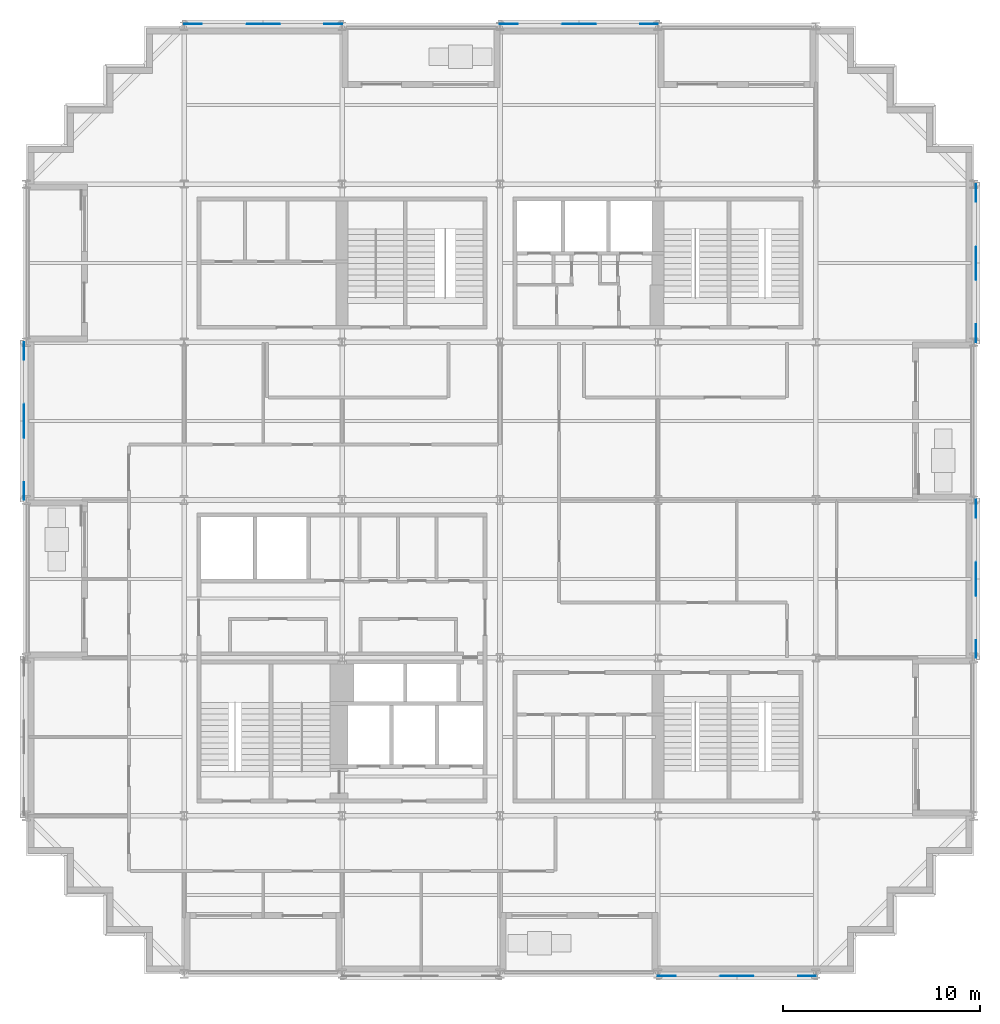
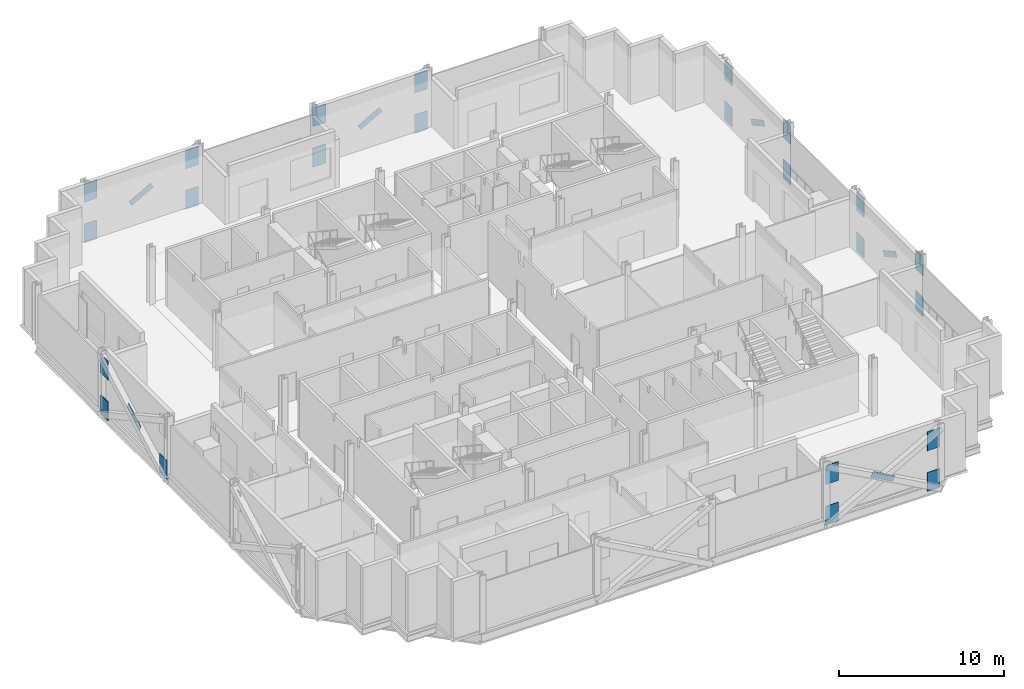
# One storey, part 12 of 15: 29 discrete accessories.
"""IFC4 building model written with IfcOpenShell, lengths in metres."""

import ifcopenshell
import ifcopenshell.guid

model = None  # the IFC model being written
_history = None  # IfcOwnerHistory: only IFC2X3 demands one
_inside = {}  # id of a spatial element -> (the spatial element, [elements in it])
_under = {}  # id of a project, library or spatial element -> (it, [spatial elements below it])
_declared = {}  # id of a project -> (the project, [libraries it declares])
_typed = {}  # id of a type object -> (the type object, [elements of that type])
_made_of = {}  # id of a material, layer set ... -> (it, [elements and type objects made of it])


def new_model(schema):
    """Start an empty IFC model of exactly this schema.

    Asked for "IFC4X3", IfcOpenShell would pick the latest addendum, in which some entities
    have other attributes; the version numbers below select the first issue.
    IFC2X3 requires an IfcOwnerHistory on every rooted entity: one is made here for all.
    """
    global model, _history
    if schema == "IFC4X3":
        model = ifcopenshell.file(schema_version=(4, 3, 0, 0))
    else:
        model = ifcopenshell.file(schema=schema)
    _inside.clear()
    _under.clear()
    _declared.clear()
    _typed.clear()
    _made_of.clear()
    _history = None
    if model.schema == "IFC2X3":
        org = make("IfcOrganization", Name="unknown")
        user = make(
            "IfcPersonAndOrganization",
            ThePerson=make("IfcPerson", FamilyName="unknown"),
            TheOrganization=org,
        )
        app = make(
            "IfcApplication",
            ApplicationDeveloper=org,
            Version="unknown",
            ApplicationFullName="unknown",
            ApplicationIdentifier="unknown",
        )
        _history = make(
            "IfcOwnerHistory",
            OwningUser=user,
            OwningApplication=app,
            ChangeAction="ADDED",
            CreationDate=0,
        )
    return model


def make(cls, **values):
    """One entity of the class cls with the attributes given. An attribute that is None is left unset."""
    return model.create_entity(
        cls, **{name: value for name, value in values.items() if value is not None}
    )


def rooted(cls, **values):
    """An entity with a GlobalId (a new one), such as an element, a storey or a relation."""
    return make(cls, GlobalId=ifcopenshell.guid.new(), OwnerHistory=_history, **values)


def si_unit(unit_type, name, prefix=None):
    """IfcSIUnit, for example si_unit("LENGTHUNIT", "METRE", prefix="MILLI")."""
    return make("IfcSIUnit", UnitType=unit_type, Prefix=prefix, Name=name)


def assignment(units):
    """IfcUnitAssignment: the units of a project."""
    return None if units is None else make("IfcUnitAssignment", Units=units)


def point(xyz):
    """IfcCartesianPoint."""
    return None if xyz is None else make("IfcCartesianPoint", Coordinates=xyz)


def direction(xyz):
    """IfcDirection."""
    return None if xyz is None else make("IfcDirection", DirectionRatios=xyz)


def frame(location, z_axis=None, x_axis=None):
    """IfcAxis2Placement3D, a coordinate frame: its origin and axes. An axis left out is left unset."""
    return make(
        "IfcAxis2Placement3D",
        Location=point(location),
        Axis=direction(z_axis),
        RefDirection=direction(x_axis),
    )


def frame_2d(location, x_axis=None):
    """IfcAxis2Placement2D, a coordinate frame in the plane: its origin and x axis."""
    return make(
        "IfcAxis2Placement2D", Location=point(location), RefDirection=direction(x_axis)
    )


def origin():
    """The frame at (0, 0, 0) with its axes left unset."""
    return frame((0.0, 0.0, 0.0))


def origin_2d():
    """The frame at (0, 0) in the plane with its x axis left unset."""
    return frame_2d((0.0, 0.0))


def place(relative_to, where):
    """IfcLocalPlacement: puts the frame where relative to a parent placement (None: the world)."""
    return make(
        "IfcLocalPlacement", PlacementRelTo=relative_to, RelativePlacement=where
    )


def context(
    kind, dimensions, precision=None, world=None, true_north=None, identifier=None
):
    """IfcGeometricRepresentationContext, for example the 3D "Model" context."""
    return make(
        "IfcGeometricRepresentationContext",
        ContextIdentifier=identifier,
        ContextType=kind,
        CoordinateSpaceDimension=dimensions,
        Precision=precision,
        WorldCoordinateSystem=world,
        TrueNorth=true_north,
    )


def subcontext(parent, identifier, kind, view, scale=None):
    """IfcGeometricRepresentationSubContext, for example "Body" below "Model"."""
    return make(
        "IfcGeometricRepresentationSubContext",
        ContextIdentifier=identifier,
        ContextType=kind,
        ParentContext=parent,
        TargetScale=scale,
        TargetView=view,
    )


def project(units=None, contexts=None):
    """IfcProject with its units and contexts."""
    return rooted(
        "IfcProject",
        Name="project",
        RepresentationContexts=contexts,
        UnitsInContext=assignment(units),
    )


def spatial(cls, under=None, at=None, **own):
    """A site, building, storey or space (cls), placed at a placement, below another one or the project."""
    s = rooted(cls, ObjectPlacement=at, **own)
    if under is not None:
        _under.setdefault(under.id(), (under, []))[1].append(s)
    return s


def profile(cls, at=None, kind="AREA", **sizes):
    """A parametric profile (cls). Its sizes go by their IFC names, for example OverallWidth=200.0."""
    return make(cls, ProfileType=kind, Position=at, **sizes)


def rectangle(**sizes):
    """IfcRectangleProfileDef."""
    return profile("IfcRectangleProfileDef", **sizes)


def extrude(swept, where, along, depth):
    """IfcExtrudedAreaSolid: the profile swept, set in the frame where, extruded along a direction by depth."""
    return make(
        "IfcExtrudedAreaSolid",
        SweptArea=swept,
        Position=where,
        ExtrudedDirection=direction(along),
        Depth=depth,
    )


def shape(context_of_items, identifier, shape_type, items):
    """IfcShapeRepresentation: the items that make up one representation, for example the "Body"."""
    return make(
        "IfcShapeRepresentation",
        ContextOfItems=context_of_items,
        RepresentationIdentifier=identifier,
        RepresentationType=shape_type,
        Items=items,
    )


def material(Name=None, Category=None):
    """IfcMaterial."""
    return make("IfcMaterial", Name=Name, Category=Category)


def material_profile(
    of_material, cross_section, Name=None, Category=None, Priority=None
):
    """IfcMaterialProfile: a cross section and its material."""
    return make(
        "IfcMaterialProfile",
        Name=Name,
        Material=of_material,
        Profile=cross_section,
        Priority=Priority,
        Category=Category,
    )


def profile_set(profiles, Name=None, composite=None):
    """IfcMaterialProfileSet."""
    return make(
        "IfcMaterialProfileSet",
        Name=Name,
        MaterialProfiles=profiles,
        CompositeProfile=composite,
    )


def made_of(thing, what):
    """Note that an element or type object is made of a material, layer set ...; save() writes the relation."""
    if what is not None:
        _made_of.setdefault(what.id(), (what, []))[1].append(thing)
    return thing


def type_object(cls, material=None, **own):
    """A type object (cls), such as IfcWallType, which elements share."""
    return made_of(rooted(cls, **own), material)


def element(
    cls,
    number,
    at=None,
    inside=None,
    cuts=None,
    type_object=None,
    material=None,
    context=None,
    identifier="Body",
    shape_type=None,
    held_by="IfcProductDefinitionShape",
    body=None,
    shapes=None,
    **own,
):
    """One element of the class cls, such as IfcWall. Its Tag is "e" and its number.

    at: its placement. inside: the storey or other place that contains it. cuts: it is an
    opening in that element (IfcRelVoidsElement). A single representation is given by context,
    identifier, shape_type and body (its items); several are given by shapes. held_by: the class
    of the entity that holds the representations. save() writes the other relations.
    """
    e = rooted(cls, Tag="e%d" % number, ObjectPlacement=at, **own)
    if body is not None:
        shapes = [shape(context, identifier, shape_type, body)]
    if shapes is not None:
        e.Representation = make(held_by, Representations=shapes)
    if inside is not None:
        _inside.setdefault(inside.id(), (inside, []))[1].append(e)
    if cuts is not None:
        rooted(
            "IfcRelVoidsElement", RelatingBuildingElement=cuts, RelatedOpeningElement=e
        )
    if type_object is not None:
        _typed.setdefault(type_object.id(), (type_object, []))[1].append(e)
    return made_of(e, material)


def aggregate(whole, parts):
    """IfcRelAggregates: a whole, such as a stair, and the parts it consists of."""
    return rooted("IfcRelAggregates", RelatingObject=whole, RelatedObjects=parts)


def save(model, path):
    """Write the relations noted so far, then the file.

    IfcRelAggregates (storeys below a building ...), IfcRelContainedInSpatialStructure (elements
    in a storey), IfcRelDefinesByType, IfcRelAssociatesMaterial and IfcRelDeclares: one each for
    every whole, place, type object, material and project.
    """
    for whole, parts in _under.values():
        aggregate(whole, parts)
    for where, things in _inside.values():
        rooted(
            "IfcRelContainedInSpatialStructure",
            RelatedElements=things,
            RelatingStructure=where,
        )
    for kind, things in _typed.values():
        rooted("IfcRelDefinesByType", RelatedObjects=things, RelatingType=kind)
    for what, things in _made_of.values():
        rooted("IfcRelAssociatesMaterial", RelatedObjects=things, RelatingMaterial=what)
    for by, libraries in _declared.values():
        rooted("IfcRelDeclares", RelatingContext=by, RelatedDefinitions=libraries)
    model.write(path)


model = new_model("IFC4")

# Units and contexts
model_context = context("Model", 3, precision=1e-05, world=origin(), true_north=direction((0.0, 1.0)))
body_context = subcontext(model_context, "Body", "Model", "MODEL_VIEW")
ifc_project = project(units=[si_unit("LENGTHUNIT", "METRE"), si_unit("AREAUNIT", "SQUARE_METRE"), si_unit("VOLUMEUNIT", "CUBIC_METRE"), si_unit("PLANEANGLEUNIT", "RADIAN"), si_unit("MASSUNIT", "GRAM", prefix="KILO")], contexts=[model_context])

# Site, building, storey
site_placement = place(None, origin())
site = spatial("IfcSite", under=ifc_project, at=site_placement, CompositionType="ELEMENT")
building_placement = place(site_placement, origin())
building = spatial("IfcBuilding", under=site, at=building_placement, Name="Immortelle Media Tower", CompositionType="ELEMENT")
storey_placement = place(building_placement, frame((0.0, 0.0, 83.199951171875)))
storey = spatial("IfcBuildingStorey", under=building, at=storey_placement, Name="L15", CompositionType="ELEMENT", Elevation=83.199951171875)

# Discrete accessories
ifc_material = material(Name="Steel ASTM A572 Gr 50", Category="steel")
ifc_material_profile_1 = material_profile(ifc_material, rectangle(XDim=0.031982421875, YDim=0.406005859375, at=origin_2d()), Name="PL 32 x 406")
ifc_profile_set_1 = profile_set([ifc_material_profile_1], Name="Steel ASTM A572 Gr 50")
discrete_accessory_type_1 = type_object("IfcDiscreteAccessoryType", Name="Crossing plate XP-BR3 1750 x 406 x 32", PredefinedType="USERDEFINED", material=ifc_profile_set_1)
for number, where, z_axis, x_axis, name in (
    (1, (-0.113037109375, 28.7666015625, 2.125244140625), (0.0, -0.876215908677, -0.481918749772), (1.0, 0.0, 0.0), "Crossing plate XP-BR3 of Brace 1/D-E A and Brace 1/D-E B"),
    (2, (48.113037109375, 19.2333984375, 2.125244140625), (0.0, 0.876215908677, -0.481918749772), (-1.0, 0.0, 0.0), "Crossing plate XP-BR3 of Brace 7/C-D A and Brace 7/C-D B"),
    (3, (48.113037109375, 35.2333984375, 2.125244140625), (0.0, 0.876215908677, -0.481918749772), (-1.0, 0.0, 0.0), "Crossing plate XP-BR3 of Brace 7/E-F A and Brace 7/E-F B"),
    (4, (28.7666015625, 48.113037109375, 2.125244140625), (-0.876215908677, 0.0, -0.481918749772), (0.0, -1.0, 0.0), "Crossing plate XP-BR3 of Brace G/4-5 A and Brace G/4-5 B"),
    (5, (12.7666015625, 48.113037109375, 2.125244140625), (-0.876215908677, 0.0, -0.481918749772), (0.0, -1.0, 0.0), "Crossing plate XP-BR3 of Brace G/2-3 A and Brace G/2-3 B"),
    (6, (35.2333984375, -0.113037109375, 2.125244140625), (0.876215908677, 0.0, -0.481918749772), (0.0, 1.0, 0.0), "Crossing plate XP-BR3 of Brace A/5-6 A and Brace A/5-6 B"),
):
    element("IfcDiscreteAccessory", number, at=place(storey_placement, frame(where, z_axis=z_axis, x_axis=x_axis)), inside=storey, type_object=discrete_accessory_type_1, Name=name, ObjectType="CROSSING PLATE", PredefinedType="USERDEFINED", context=body_context, shape_type="SweptSolid", body=[
        extrude(rectangle(XDim=0.031982421875, YDim=0.406005859375, at=origin_2d()), origin(), (0.0, 0.0, 1.0), 1.749755859375),
    ])
ifc_material_profile_2 = material_profile(ifc_material, rectangle(XDim=0.031982421875, YDim=1.39990234375, at=origin_2d()), Name="PL 32 x 1400")
ifc_profile_set_2 = profile_set([ifc_material_profile_2], Name="Steel ASTM A572 Gr 50")
discrete_accessory_type_2 = type_object("IfcDiscreteAccessoryType", Name="Gusset plate GP1 900 x 1400 x 32", PredefinedType="USERDEFINED", material=ifc_profile_set_2)
for number, where, z_axis, x_axis, name in (
    (7, (-0.113037109375, 32.0, 0.20361328125), (0.0, -1.0, 0.0), (1.0, 0.0, 0.0), "Gusset plate GP1, lower end of Brace 1/D-E A"),
    (8, (-0.113037109375, 24.0, 0.20361328125), (0.0, 1.0, 0.0), (-1.0, 0.0, 0.0), "Gusset plate GP1, lower end of Brace 1/D-E B"),
    (9, (-0.113037109375, 32.0, 3.20361328125), (0.0, -1.0, 0.0), (1.0, 0.0, 0.0), "Gusset plate GP1, upper end of Brace 1/D-E B"),
    (10, (32.0, -0.113037109375, 0.20361328125), (1.0, 0.0, 0.0), (0.0, 1.0, 0.0), "Gusset plate GP1, lower end of Brace A/5-6 A"),
    (11, (40.0, -0.113037109375, 3.20361328125), (-1.0, 0.0, 0.0), (0.0, -1.0, 0.0), "Gusset plate GP1, upper end of Brace A/5-6 A"),
    (12, (40.0, -0.113037109375, 0.20361328125), (-1.0, 0.0, 0.0), (0.0, -1.0, 0.0), "Gusset plate GP1, lower end of Brace A/5-6 B"),
    (13, (32.0, -0.113037109375, 3.20361328125), (1.0, 0.0, 0.0), (0.0, 1.0, 0.0), "Gusset plate GP1, upper end of Brace A/5-6 B"),
    (14, (48.113037109375, 16.0, 0.20361328125), (0.0, 1.0, 0.0), (-1.0, 0.0, 0.0), "Gusset plate GP1, lower end of Brace 7/C-D A"),
    (15, (48.113037109375, 24.0, 3.20361328125), (0.0, -1.0, 0.0), (1.0, 0.0, 0.0), "Gusset plate GP1, upper end of Brace 7/C-D A"),
    (16, (48.113037109375, 24.0, 0.20361328125), (0.0, -1.0, 0.0), (1.0, 0.0, 0.0), "Gusset plate GP1, lower end of Brace 7/C-D B"),
    (17, (48.113037109375, 16.0, 3.20361328125), (0.0, 1.0, 0.0), (-1.0, 0.0, 0.0), "Gusset plate GP1, upper end of Brace 7/C-D B"),
    (18, (48.113037109375, 32.0, 0.20361328125), (0.0, 1.0, 0.0), (-1.0, 0.0, 0.0), "Gusset plate GP1, lower end of Brace 7/E-F A"),
    (19, (48.113037109375, 40.0, 3.20361328125), (0.0, -1.0, 0.0), (1.0, 0.0, 0.0), "Gusset plate GP1, upper end of Brace 7/E-F A"),
    (20, (48.113037109375, 40.0, 0.20361328125), (0.0, -1.0, 0.0), (1.0, 0.0, 0.0), "Gusset plate GP1, lower end of Brace 7/E-F B"),
    (21, (48.113037109375, 32.0, 3.20361328125), (0.0, 1.0, 0.0), (-1.0, 0.0, 0.0), "Gusset plate GP1, upper end of Brace 7/E-F B"),
    (22, (32.0, 48.113037109375, 0.20361328125), (-1.0, 0.0, 0.0), (0.0, -1.0, 0.0), "Gusset plate GP1, lower end of Brace G/4-5 A"),
    (23, (24.0, 48.113037109375, 3.20361328125), (1.0, 0.0, 0.0), (0.0, 1.0, 0.0), "Gusset plate GP1, upper end of Brace G/4-5 A"),
    (24, (24.0, 48.113037109375, 0.20361328125), (1.0, 0.0, 0.0), (0.0, 1.0, 0.0), "Gusset plate GP1, lower end of Brace G/4-5 B"),
    (25, (32.0, 48.113037109375, 3.20361328125), (-1.0, 0.0, 0.0), (0.0, -1.0, 0.0), "Gusset plate GP1, upper end of Brace G/4-5 B"),
    (26, (16.0, 48.113037109375, 0.20361328125), (-1.0, 0.0, 0.0), (0.0, -1.0, 0.0), "Gusset plate GP1, lower end of Brace G/2-3 A"),
    (27, (8.0, 48.113037109375, 3.20361328125), (1.0, 0.0, 0.0), (0.0, 1.0, 0.0), "Gusset plate GP1, upper end of Brace G/2-3 A"),
    (28, (8.0, 48.113037109375, 0.20361328125), (1.0, 0.0, 0.0), (0.0, 1.0, 0.0), "Gusset plate GP1, lower end of Brace G/2-3 B"),
    (29, (16.0, 48.113037109375, 3.20361328125), (-1.0, 0.0, 0.0), (0.0, -1.0, 0.0), "Gusset plate GP1, upper end of Brace G/2-3 B"),
):
    element("IfcDiscreteAccessory", number, at=place(storey_placement, frame(where, z_axis=z_axis, x_axis=x_axis)), inside=storey, type_object=discrete_accessory_type_2, Name=name, ObjectType="GUSSET PLATE", PredefinedType="USERDEFINED", context=body_context, shape_type="SweptSolid", body=[
        extrude(rectangle(XDim=0.031982421875, YDim=1.39990234375, at=origin_2d()), origin(), (0.0, 0.0, 1.0), 0.89990234375),
    ])

save(model, "model.ifc")
